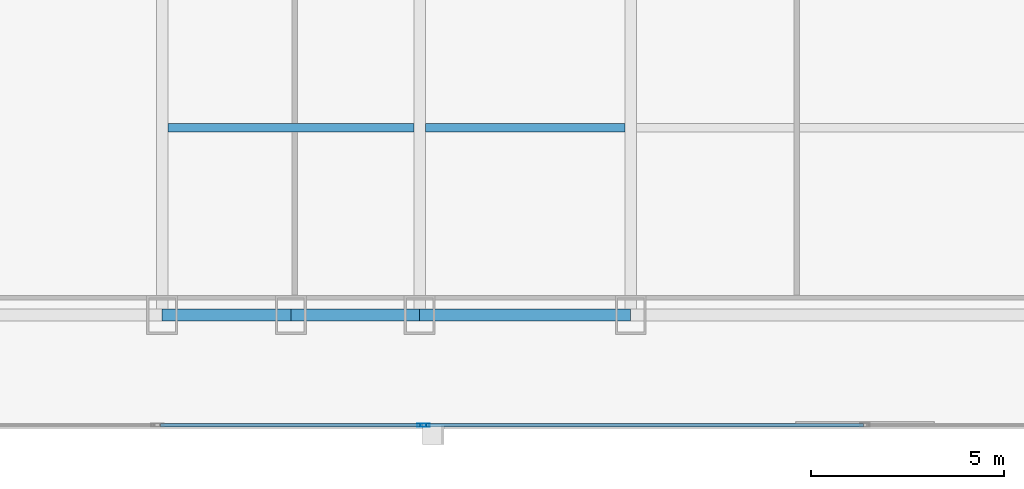
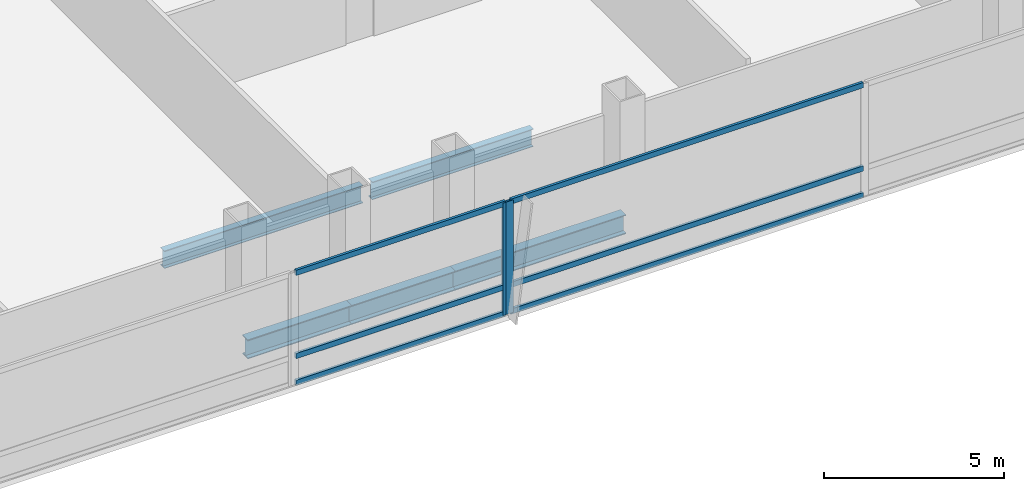
# One storey, part 8 of 32: 8 members, 5 beams, 2 elements without a shape of their own.
"""IFC4 building model written with IfcOpenShell, lengths in metres."""

from ifc_helpers import new_model, si_unit, direction, frame, origin, origin_2d, place, context, subcontext, project, spatial, hollow_rectangle, i_section, extrude, material, material_profile, profile_set, type_object, element, aggregate, save


model = new_model("IFC4")

# Units and contexts
model_context = context("Model", 3, precision=1e-05, world=origin(), true_north=direction((0.0, 1.0)))
body_context = subcontext(model_context, "Body", "Model", "MODEL_VIEW")
ifc_project = project(units=[si_unit("LENGTHUNIT", "METRE"), si_unit("AREAUNIT", "SQUARE_METRE"), si_unit("VOLUMEUNIT", "CUBIC_METRE"), si_unit("PLANEANGLEUNIT", "RADIAN"), si_unit("MASSUNIT", "GRAM", prefix="KILO")], contexts=[model_context])

# Site, building, storey
site_placement = place(None, origin())
site = spatial("IfcSite", under=ifc_project, at=site_placement, CompositionType="ELEMENT")
building_placement = place(site_placement, origin())
building = spatial("IfcBuilding", under=site, at=building_placement, Name="Khoronbel Lancet Exchange", CompositionType="ELEMENT")
storey_placement = place(building_placement, frame((0.0, 0.0, 65.800048828125)))
storey = spatial("IfcBuildingStorey", under=building, at=storey_placement, Name="L15", CompositionType="ELEMENT", Elevation=65.800048828125)

# Beams
ifc_material_1 = material(Name="Steel S355", Category="steel")
ifc_material_profile_1 = material_profile(ifc_material_1, i_section(OverallWidth=0.219970703125, OverallDepth=0.60009765625, WebThickness=0.011962890625, FlangeThickness=0.01904296875, at=origin_2d()), Name="IPE 600")
ifc_profile_set_1 = profile_set([ifc_material_profile_1], Name="Steel S355")
beam_type_1 = type_object("IfcBeamType", Name="BM-BJ1", PredefinedType="JOIST", material=ifc_profile_set_1)
beam_1_placement = place(storey_placement, frame((18.375, 15.0, -0.47998046875), z_axis=(1.0, 0.0, 0.0), x_axis=(0.0, 1.0, 0.0)))
element("IfcBeam", 1, at=beam_1_placement, inside=storey, type_object=beam_type_1, Name="Level L15 secondary composite joist J01", PredefinedType="JOIST", context=body_context, shape_type="SweptSolid", body=[
    extrude(i_section(OverallWidth=0.219970703125, OverallDepth=0.60009765625, WebThickness=0.011962890625, FlangeThickness=0.01904296875, at=origin_2d()), origin(), (0.0, 0.0, 1.0), 6.375),
])
beam_2_placement = place(storey_placement, frame((25.050048828125, 15.0, -0.47998046875), z_axis=(1.0, 0.0, 0.0), x_axis=(0.0, 1.0, 0.0)))
element("IfcBeam", 2, at=beam_2_placement, inside=storey, type_object=beam_type_1, Name="Level L15 secondary composite joist J02", PredefinedType="JOIST", context=body_context, shape_type="SweptSolid", body=[
    extrude(i_section(OverallWidth=0.219970703125, OverallDepth=0.60009765625, WebThickness=0.011962890625, FlangeThickness=0.01904296875, at=origin_2d()), origin(), (0.0, 0.0, 1.0), 5.175048828125),
])
ifc_material_profile_2 = material_profile(ifc_material_1, i_section(OverallWidth=0.300048828125, OverallDepth=0.64990234375, WebThickness=0.01611328125, FlangeThickness=0.031005859375, at=origin_2d()), Name="HEB 650")
ifc_profile_set_2 = profile_set([ifc_material_profile_2], Name="Steel S355")
beam_type_2 = type_object("IfcBeamType", Name="BM-BSP1", PredefinedType="SPANDREL", material=ifc_profile_set_2)
for number, where, z_axis, x_axis, name in (
    (3, (18.22509765625, 10.14990234375, -0.505126953125), (1.0, 0.0, 0.0), (0.0, 1.0, 0.0), "Level L15 perimeter spandrel beam SP02"),
    (4, (21.5625, 10.14990234375, -0.505126953125), (1.0, 0.0, 0.0), (0.0, 1.0, 0.0), "Level L15 perimeter spandrel beam SP03"),
):
    element("IfcBeam", number, at=place(storey_placement, frame(where, z_axis=z_axis, x_axis=x_axis)), inside=storey, type_object=beam_type_2, Name=name, PredefinedType="SPANDREL", context=body_context, shape_type="SweptSolid", body=[
        extrude(i_section(OverallWidth=0.300048828125, OverallDepth=0.64990234375, WebThickness=0.01611328125, FlangeThickness=0.031005859375, at=origin_2d()), origin(), (0.0, 0.0, 1.0), 3.33740234375),
    ])
beam_3_placement = place(storey_placement, frame((24.89990234375, 10.14990234375, -0.505126953125), z_axis=(1.0, 0.0, 0.0), x_axis=(0.0, 1.0, 0.0)))
element("IfcBeam", 5, at=beam_3_placement, inside=storey, type_object=beam_type_2, Name="Level L15 perimeter spandrel beam SP04", PredefinedType="SPANDREL", context=body_context, shape_type="SweptSolid", body=[
    extrude(i_section(OverallWidth=0.300048828125, OverallDepth=0.64990234375, WebThickness=0.01611328125, FlangeThickness=0.031005859375, at=origin_2d()), origin(), (0.0, 0.0, 1.0), 5.47509765625),
])

# Curtain wall, member
ifc_material_2 = material(Name="Low-E Solar Control Insulating Glass", Category="glass")
curtain_wall_type = type_object("IfcCurtainWallType", Name="CW-1", PredefinedType="NOTDEFINED", material=ifc_material_2)
curtain_wall_1_placement = place(storey_placement, origin())
curtain_wall_1 = element("IfcCurtainWall", 6, at=curtain_wall_1_placement, inside=storey, type_object=curtain_wall_type, Name="Unitised curtain wall CW-L15-SWB", PredefinedType="NOTDEFINED")
ifc_material_3 = material(Name="Bronze-Anodised Aluminium 6063-T6", Category="aluminium")
ifc_material_profile_3 = material_profile(ifc_material_3, hollow_rectangle(XDim=0.0849609375, YDim=0.239990234375, WallThickness=0.006103515625, at=origin_2d()), Name="ALU MULLION 85x240")
ifc_profile_set_3 = profile_set([ifc_material_profile_3], Name="Bronze-Anodised Aluminium 6063-T6")
member_type_1 = type_object("IfcMemberType", Name="MEM-CWM1", PredefinedType="MULLION", material=ifc_profile_set_3)
member_1_placement = place(storey_placement, frame((24.95751953125, 7.2900390625, 0.0), z_axis=(0.0, 0.0, 1.0), x_axis=(0.0, 1.0, 0.0)))
member_1 = element("IfcMember", 7, at=member_1_placement, type_object=member_type_1, Name="CW1 mullion 2", PredefinedType="MULLION", context=body_context, shape_type="SweptSolid", body=[
    extrude(hollow_rectangle(XDim=0.0849609375, YDim=0.239990234375, WallThickness=0.006103515625, at=origin_2d()), origin(), (0.0, 0.0, 1.0), 3.820068359375),
])

curtain_wall_2_placement = place(storey_placement, origin())
curtain_wall_2 = element("IfcCurtainWall", 8, at=curtain_wall_2_placement, inside=storey, type_object=curtain_wall_type, Name="Unitised curtain wall CW-L15-SCV", PredefinedType="NOTDEFINED")
member_2_placement = place(storey_placement, frame((25.04248046875, 7.2900390625, 0.0), z_axis=(0.0, 0.0, 1.0), x_axis=(0.0, 1.0, 0.0)))
member_2 = element("IfcMember", 9, at=member_2_placement, type_object=member_type_1, Name="CW1 mullion 1", PredefinedType="MULLION", context=body_context, shape_type="SweptSolid", body=[
    extrude(hollow_rectangle(XDim=0.0849609375, YDim=0.239990234375, WallThickness=0.006103515625, at=origin_2d()), origin(), (0.0, 0.0, 1.0), 3.820068359375),
])

# Member
ifc_material_profile_4 = material_profile(ifc_material_3, hollow_rectangle(XDim=0.0849609375, YDim=0.179931640625, WallThickness=0.0048828125, at=origin_2d()), Name="ALU TRANSOM 85x180")
ifc_profile_set_4 = profile_set([ifc_material_profile_4], Name="Bronze-Anodised Aluminium 6063-T6")
member_type_2 = type_object("IfcMemberType", Name="MEM-CWT1", PredefinedType="USERDEFINED", material=ifc_profile_set_4)
member_3_placement = place(storey_placement, frame((18.18505859375, 7.2900390625, 0.04248046875), z_axis=(1.0, 0.0, 0.0), x_axis=(0.0, 1.0, 0.0)))
member_3 = element("IfcMember", 10, at=member_3_placement, type_object=member_type_2, Name="CW1 transom 1.1", ObjectType="TRANSOM", PredefinedType="USERDEFINED", context=body_context, shape_type="SweptSolid", body=[
    extrude(hollow_rectangle(XDim=0.0849609375, YDim=0.179931640625, WallThickness=0.0048828125, at=origin_2d()), origin(), (0.0, 0.0, 1.0), 6.72998046875),
])

member_4_placement = place(storey_placement, frame((18.18505859375, 7.2900390625, 0.949951171875), z_axis=(1.0, 0.0, 0.0), x_axis=(0.0, 1.0, 0.0)))
member_4 = element("IfcMember", 11, at=member_4_placement, type_object=member_type_2, Name="CW1 transom 1.2", ObjectType="TRANSOM", PredefinedType="USERDEFINED", context=body_context, shape_type="SweptSolid", body=[
    extrude(hollow_rectangle(XDim=0.0849609375, YDim=0.179931640625, WallThickness=0.0048828125, at=origin_2d()), origin(), (0.0, 0.0, 1.0), 6.72998046875),
])

member_5_placement = place(storey_placement, frame((18.18505859375, 7.2900390625, 3.77734375), z_axis=(1.0, 0.0, 0.0), x_axis=(0.0, 1.0, 0.0)))
member_5 = element("IfcMember", 12, at=member_5_placement, type_object=member_type_2, Name="CW1 transom 1.3", ObjectType="TRANSOM", PredefinedType="USERDEFINED", context=body_context, shape_type="SweptSolid", body=[
    extrude(hollow_rectangle(XDim=0.0849609375, YDim=0.179931640625, WallThickness=0.0048828125, at=origin_2d()), origin(), (0.0, 0.0, 1.0), 6.72998046875),
])

aggregate(curtain_wall_1, [member_1, member_3, member_4, member_5])

member_6_placement = place(storey_placement, frame((25.0849609375, 7.2900390625, 0.04248046875), z_axis=(1.0, 0.0, 0.0), x_axis=(0.0, 1.0, 0.0)))
member_6 = element("IfcMember", 13, at=member_6_placement, type_object=member_type_2, Name="CW1 transom 1.1", ObjectType="TRANSOM", PredefinedType="USERDEFINED", context=body_context, shape_type="SweptSolid", body=[
    extrude(hollow_rectangle(XDim=0.0849609375, YDim=0.179931640625, WallThickness=0.0048828125, at=origin_2d()), origin(), (0.0, 0.0, 1.0), 11.322509765625),
])

member_7_placement = place(storey_placement, frame((25.0849609375, 7.2900390625, 0.949951171875), z_axis=(1.0, 0.0, 0.0), x_axis=(0.0, 1.0, 0.0)))
member_7 = element("IfcMember", 14, at=member_7_placement, type_object=member_type_2, Name="CW1 transom 1.2", ObjectType="TRANSOM", PredefinedType="USERDEFINED", context=body_context, shape_type="SweptSolid", body=[
    extrude(hollow_rectangle(XDim=0.0849609375, YDim=0.179931640625, WallThickness=0.0048828125, at=origin_2d()), origin(), (0.0, 0.0, 1.0), 11.322509765625),
])

member_8_placement = place(storey_placement, frame((25.0849609375, 7.2900390625, 3.77734375), z_axis=(1.0, 0.0, 0.0), x_axis=(0.0, 1.0, 0.0)))
member_8 = element("IfcMember", 15, at=member_8_placement, type_object=member_type_2, Name="CW1 transom 1.3", ObjectType="TRANSOM", PredefinedType="USERDEFINED", context=body_context, shape_type="SweptSolid", body=[
    extrude(hollow_rectangle(XDim=0.0849609375, YDim=0.179931640625, WallThickness=0.0048828125, at=origin_2d()), origin(), (0.0, 0.0, 1.0), 11.322509765625),
])

aggregate(curtain_wall_2, [member_2, member_6, member_7, member_8])

save(model, "model.ifc")
